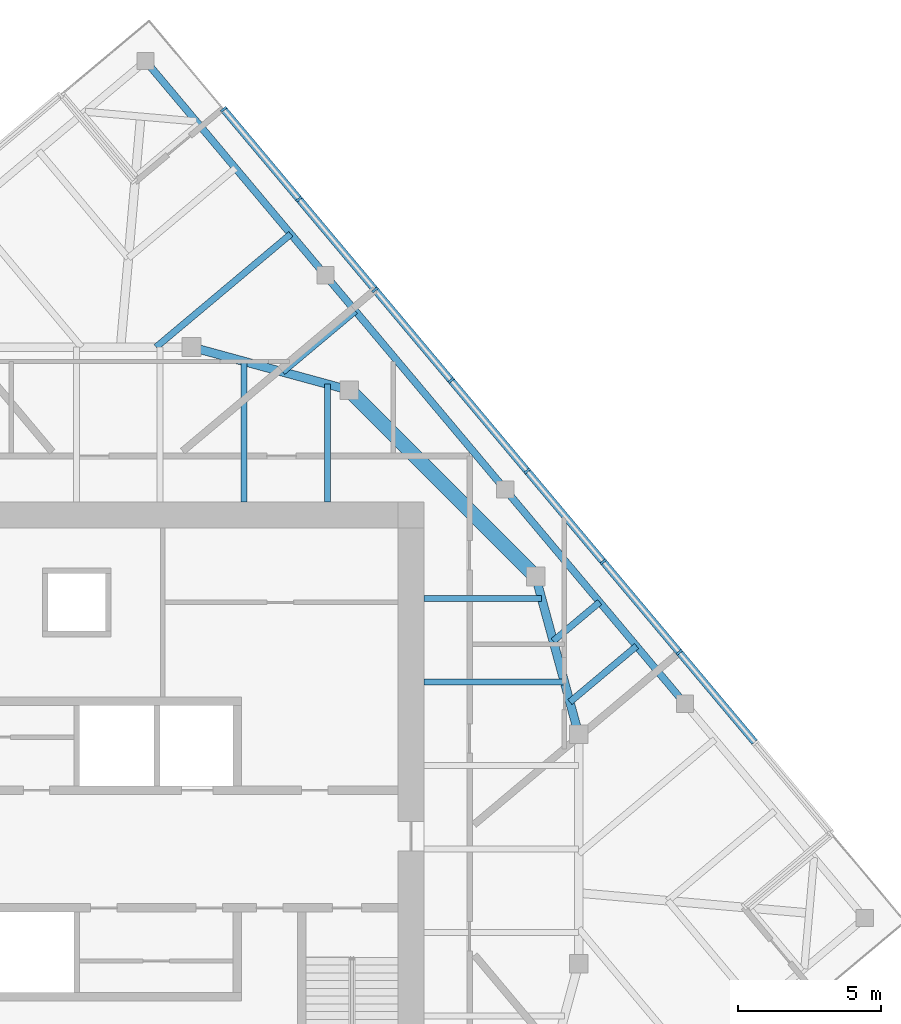
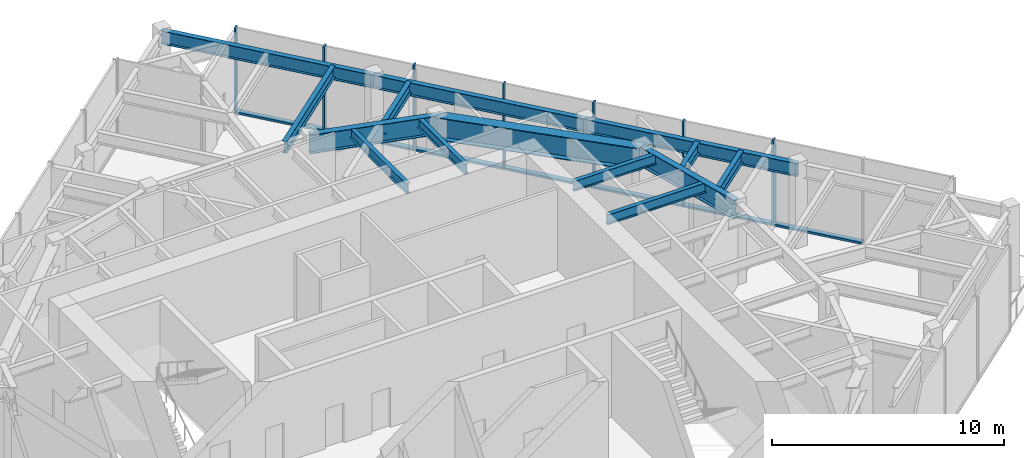
# One storey, part 6 of 11: 14 beams, 14 members, 1 element without a shape of its own.
"""IFC4 building model written with IfcOpenShell, lengths in metres."""

import ifcopenshell
import ifcopenshell.guid

model = None  # the IFC model being written
_history = None  # IfcOwnerHistory: only IFC2X3 demands one
_inside = {}  # id of a spatial element -> (the spatial element, [elements in it])
_under = {}  # id of a project, library or spatial element -> (it, [spatial elements below it])
_declared = {}  # id of a project -> (the project, [libraries it declares])
_typed = {}  # id of a type object -> (the type object, [elements of that type])
_made_of = {}  # id of a material, layer set ... -> (it, [elements and type objects made of it])


def new_model(schema):
    """Start an empty IFC model of exactly this schema.

    Asked for "IFC4X3", IfcOpenShell would pick the latest addendum, in which some entities
    have other attributes; the version numbers below select the first issue.
    IFC2X3 requires an IfcOwnerHistory on every rooted entity: one is made here for all.
    """
    global model, _history
    if schema == "IFC4X3":
        model = ifcopenshell.file(schema_version=(4, 3, 0, 0))
    else:
        model = ifcopenshell.file(schema=schema)
    _inside.clear()
    _under.clear()
    _declared.clear()
    _typed.clear()
    _made_of.clear()
    _history = None
    if model.schema == "IFC2X3":
        org = make("IfcOrganization", Name="unknown")
        user = make(
            "IfcPersonAndOrganization",
            ThePerson=make("IfcPerson", FamilyName="unknown"),
            TheOrganization=org,
        )
        app = make(
            "IfcApplication",
            ApplicationDeveloper=org,
            Version="unknown",
            ApplicationFullName="unknown",
            ApplicationIdentifier="unknown",
        )
        _history = make(
            "IfcOwnerHistory",
            OwningUser=user,
            OwningApplication=app,
            ChangeAction="ADDED",
            CreationDate=0,
        )
    return model


def make(cls, **values):
    """One entity of the class cls with the attributes given. An attribute that is None is left unset."""
    return model.create_entity(
        cls, **{name: value for name, value in values.items() if value is not None}
    )


def rooted(cls, **values):
    """An entity with a GlobalId (a new one), such as an element, a storey or a relation."""
    return make(cls, GlobalId=ifcopenshell.guid.new(), OwnerHistory=_history, **values)


def si_unit(unit_type, name, prefix=None):
    """IfcSIUnit, for example si_unit("LENGTHUNIT", "METRE", prefix="MILLI")."""
    return make("IfcSIUnit", UnitType=unit_type, Prefix=prefix, Name=name)


def assignment(units):
    """IfcUnitAssignment: the units of a project."""
    return None if units is None else make("IfcUnitAssignment", Units=units)


def point(xyz):
    """IfcCartesianPoint."""
    return None if xyz is None else make("IfcCartesianPoint", Coordinates=xyz)


def direction(xyz):
    """IfcDirection."""
    return None if xyz is None else make("IfcDirection", DirectionRatios=xyz)


def frame(location, z_axis=None, x_axis=None):
    """IfcAxis2Placement3D, a coordinate frame: its origin and axes. An axis left out is left unset."""
    return make(
        "IfcAxis2Placement3D",
        Location=point(location),
        Axis=direction(z_axis),
        RefDirection=direction(x_axis),
    )


def frame_2d(location, x_axis=None):
    """IfcAxis2Placement2D, a coordinate frame in the plane: its origin and x axis."""
    return make(
        "IfcAxis2Placement2D", Location=point(location), RefDirection=direction(x_axis)
    )


def origin():
    """The frame at (0, 0, 0) with its axes left unset."""
    return frame((0.0, 0.0, 0.0))


def origin_2d():
    """The frame at (0, 0) in the plane with its x axis left unset."""
    return frame_2d((0.0, 0.0))


def place(relative_to, where):
    """IfcLocalPlacement: puts the frame where relative to a parent placement (None: the world)."""
    return make(
        "IfcLocalPlacement", PlacementRelTo=relative_to, RelativePlacement=where
    )


def context(
    kind, dimensions, precision=None, world=None, true_north=None, identifier=None
):
    """IfcGeometricRepresentationContext, for example the 3D "Model" context."""
    return make(
        "IfcGeometricRepresentationContext",
        ContextIdentifier=identifier,
        ContextType=kind,
        CoordinateSpaceDimension=dimensions,
        Precision=precision,
        WorldCoordinateSystem=world,
        TrueNorth=true_north,
    )


def subcontext(parent, identifier, kind, view, scale=None):
    """IfcGeometricRepresentationSubContext, for example "Body" below "Model"."""
    return make(
        "IfcGeometricRepresentationSubContext",
        ContextIdentifier=identifier,
        ContextType=kind,
        ParentContext=parent,
        TargetScale=scale,
        TargetView=view,
    )


def project(units=None, contexts=None):
    """IfcProject with its units and contexts."""
    return rooted(
        "IfcProject",
        Name="project",
        RepresentationContexts=contexts,
        UnitsInContext=assignment(units),
    )


def spatial(cls, under=None, at=None, **own):
    """A site, building, storey or space (cls), placed at a placement, below another one or the project."""
    s = rooted(cls, ObjectPlacement=at, **own)
    if under is not None:
        _under.setdefault(under.id(), (under, []))[1].append(s)
    return s


def profile(cls, at=None, kind="AREA", **sizes):
    """A parametric profile (cls). Its sizes go by their IFC names, for example OverallWidth=200.0."""
    return make(cls, ProfileType=kind, Position=at, **sizes)


def rectangle(**sizes):
    """IfcRectangleProfileDef."""
    return profile("IfcRectangleProfileDef", **sizes)


def i_section(**sizes):
    """IfcIShapeProfileDef."""
    return profile("IfcIShapeProfileDef", **sizes)


def extrude(swept, where, along, depth):
    """IfcExtrudedAreaSolid: the profile swept, set in the frame where, extruded along a direction by depth."""
    return make(
        "IfcExtrudedAreaSolid",
        SweptArea=swept,
        Position=where,
        ExtrudedDirection=direction(along),
        Depth=depth,
    )


def shape(context_of_items, identifier, shape_type, items):
    """IfcShapeRepresentation: the items that make up one representation, for example the "Body"."""
    return make(
        "IfcShapeRepresentation",
        ContextOfItems=context_of_items,
        RepresentationIdentifier=identifier,
        RepresentationType=shape_type,
        Items=items,
    )


def material(Name=None, Category=None):
    """IfcMaterial."""
    return make("IfcMaterial", Name=Name, Category=Category)


def material_profile(
    of_material, cross_section, Name=None, Category=None, Priority=None
):
    """IfcMaterialProfile: a cross section and its material."""
    return make(
        "IfcMaterialProfile",
        Name=Name,
        Material=of_material,
        Profile=cross_section,
        Priority=Priority,
        Category=Category,
    )


def profile_set(profiles, Name=None, composite=None):
    """IfcMaterialProfileSet."""
    return make(
        "IfcMaterialProfileSet",
        Name=Name,
        MaterialProfiles=profiles,
        CompositeProfile=composite,
    )


def made_of(thing, what):
    """Note that an element or type object is made of a material, layer set ...; save() writes the relation."""
    if what is not None:
        _made_of.setdefault(what.id(), (what, []))[1].append(thing)
    return thing


def type_object(cls, material=None, **own):
    """A type object (cls), such as IfcWallType, which elements share."""
    return made_of(rooted(cls, **own), material)


def element(
    cls,
    number,
    at=None,
    inside=None,
    cuts=None,
    type_object=None,
    material=None,
    context=None,
    identifier="Body",
    shape_type=None,
    held_by="IfcProductDefinitionShape",
    body=None,
    shapes=None,
    **own,
):
    """One element of the class cls, such as IfcWall. Its Tag is "e" and its number.

    at: its placement. inside: the storey or other place that contains it. cuts: it is an
    opening in that element (IfcRelVoidsElement). A single representation is given by context,
    identifier, shape_type and body (its items); several are given by shapes. held_by: the class
    of the entity that holds the representations. save() writes the other relations.
    """
    e = rooted(cls, Tag="e%d" % number, ObjectPlacement=at, **own)
    if body is not None:
        shapes = [shape(context, identifier, shape_type, body)]
    if shapes is not None:
        e.Representation = make(held_by, Representations=shapes)
    if inside is not None:
        _inside.setdefault(inside.id(), (inside, []))[1].append(e)
    if cuts is not None:
        rooted(
            "IfcRelVoidsElement", RelatingBuildingElement=cuts, RelatedOpeningElement=e
        )
    if type_object is not None:
        _typed.setdefault(type_object.id(), (type_object, []))[1].append(e)
    return made_of(e, material)


def aggregate(whole, parts):
    """IfcRelAggregates: a whole, such as a stair, and the parts it consists of."""
    return rooted("IfcRelAggregates", RelatingObject=whole, RelatedObjects=parts)


def save(model, path):
    """Write the relations noted so far, then the file.

    IfcRelAggregates (storeys below a building ...), IfcRelContainedInSpatialStructure (elements
    in a storey), IfcRelDefinesByType, IfcRelAssociatesMaterial and IfcRelDeclares: one each for
    every whole, place, type object, material and project.
    """
    for whole, parts in _under.values():
        aggregate(whole, parts)
    for where, things in _inside.values():
        rooted(
            "IfcRelContainedInSpatialStructure",
            RelatedElements=things,
            RelatingStructure=where,
        )
    for kind, things in _typed.values():
        rooted("IfcRelDefinesByType", RelatedObjects=things, RelatingType=kind)
    for what, things in _made_of.values():
        rooted("IfcRelAssociatesMaterial", RelatedObjects=things, RelatingMaterial=what)
    for by, libraries in _declared.values():
        rooted("IfcRelDeclares", RelatingContext=by, RelatedDefinitions=libraries)
    model.write(path)


model = new_model("IFC4")

# Units and contexts
model_context = context("Model", 3, precision=1e-05, world=origin(), true_north=direction((0.0, 1.0)))
body_context = subcontext(model_context, "Body", "Model", "MODEL_VIEW")
ifc_project = project(units=[si_unit("LENGTHUNIT", "METRE"), si_unit("AREAUNIT", "SQUARE_METRE"), si_unit("VOLUMEUNIT", "CUBIC_METRE"), si_unit("PLANEANGLEUNIT", "RADIAN"), si_unit("MASSUNIT", "GRAM", prefix="KILO")], contexts=[model_context])

# Site, building, storey
site_placement = place(None, origin())
site = spatial("IfcSite", under=ifc_project, at=site_placement, CompositionType="ELEMENT")
building_placement = place(site_placement, origin())
building = spatial("IfcBuilding", under=site, at=building_placement, Name="Torsade Residences", CompositionType="ELEMENT")
storey_placement = place(building_placement, frame((0.0, 0.0, 299.800048828125)))
storey = spatial("IfcBuildingStorey", under=building, at=storey_placement, Name="L83", CompositionType="ELEMENT", Elevation=299.800048828125)

# Beams
ifc_material_1 = material(Name="Steel grade 300", Category="steel")
ifc_material_profile_1 = material_profile(ifc_material_1, i_section(OverallWidth=0.25, OverallDepth=0.699951171875, WebThickness=0.010009765625, FlangeThickness=0.02001953125, at=origin_2d()), Name="700WB130")
ifc_profile_set_1 = profile_set([ifc_material_profile_1], Name="Steel grade 300")
beam_type_1 = type_object("IfcBeamType", Name="EDGE BEAM 700WB130", PredefinedType="SPANDREL", material=ifc_profile_set_1)
for number, where, z_axis, x_axis, name in (
    (1, (61.205078125, 35.0654296875, 3.949951171875), (-0.642779160279, 0.766051532934, 0.0), (-0.766051532934, -0.642779160279, 0.0), "Edge beam 06 L84"),
    (2, (54.93798828125, 42.534423828125, 3.949951171875), (-0.642806184154, 0.766028856906, 0.0), (-0.766028856906, -0.642806184154, 0.0), "Edge beam 07 L84"),
    (3, (48.670654296875, 50.003173828125, 3.949951171875), (-0.642779160279, 0.766051532934, 0.0), (-0.766051532934, -0.642779160279, 0.0), "Edge beam 08 L84"),
):
    element("IfcBeam", number, at=place(storey_placement, frame(where, z_axis=z_axis, x_axis=x_axis)), inside=storey, type_object=beam_type_1, Name=name, PredefinedType="SPANDREL", context=body_context, shape_type="SweptSolid", body=[
        extrude(i_section(OverallWidth=0.25, OverallDepth=0.699951171875, WebThickness=0.010009765625, FlangeThickness=0.02001953125, at=origin_2d()), origin(), (0.0, 0.0, 1.0), 9.75),
    ])
ifc_material_2 = material(Name="Steel grade 300", Category="steel")
ifc_material_profile_2 = material_profile(ifc_material_2, i_section(OverallWidth=0.208984375, OverallDepth=0.528076171875, WebThickness=0.009521484375, FlangeThickness=0.01318359375, FilletRadius=0.013916015625, at=origin_2d()), Name="530UB82.0")
ifc_profile_set_2 = profile_set([ifc_material_profile_2], Name="Steel grade 300")
beam_type_2 = type_object("IfcBeamType", Name="INNER FLOOR BEAM 530UB82.0", PredefinedType="JOIST", material=ifc_profile_set_2)
beam_1_placement = place(storey_placement, frame((45.824951171875, 42.10009765625, 4.035888671875), z_axis=(0.0, 1.0, 0.0), x_axis=(-1.0, 0.0, 0.0)))
element("IfcBeam", 4, at=beam_1_placement, inside=storey, type_object=beam_type_2, Name="Inner floor beam IN06 L84", PredefinedType="JOIST", context=body_context, shape_type="SweptSolid", body=[
    extrude(i_section(OverallWidth=0.208984375, OverallDepth=0.528076171875, WebThickness=0.009521484375, FlangeThickness=0.01318359375, FilletRadius=0.013916015625, at=origin_2d()), origin(), (0.0, 0.0, 1.0), 4.902099609375),
])
beam_2_placement = place(storey_placement, frame((48.737548828125, 42.10009765625, 4.035888671875), z_axis=(0.0, 1.0, 0.0), x_axis=(-1.0, 0.0, 0.0)))
element("IfcBeam", 5, at=beam_2_placement, inside=storey, type_object=beam_type_2, Name="Inner floor beam IN07 L84", PredefinedType="JOIST", context=body_context, shape_type="SweptSolid", body=[
    extrude(i_section(OverallWidth=0.208984375, OverallDepth=0.528076171875, WebThickness=0.009521484375, FlangeThickness=0.01318359375, FilletRadius=0.013916015625, at=origin_2d()), origin(), (0.0, 0.0, 1.0), 4.10791015625),
])
beam_3_placement = place(storey_placement, frame((52.10009765625, 35.824951171875, 4.035888671875), z_axis=(1.0, 0.0, 0.0), x_axis=(0.0, 1.0, 0.0)))
element("IfcBeam", 6, at=beam_3_placement, inside=storey, type_object=beam_type_2, Name="Inner floor beam IE06 L84", PredefinedType="JOIST", context=body_context, shape_type="SweptSolid", body=[
    extrude(i_section(OverallWidth=0.208984375, OverallDepth=0.528076171875, WebThickness=0.009521484375, FlangeThickness=0.01318359375, FilletRadius=0.013916015625, at=origin_2d()), origin(), (0.0, 0.0, 1.0), 4.902099609375),
])
beam_4_placement = place(storey_placement, frame((52.10009765625, 38.737548828125, 4.035888671875), z_axis=(1.0, 0.0, 0.0), x_axis=(0.0, 1.0, 0.0)))
element("IfcBeam", 7, at=beam_4_placement, inside=storey, type_object=beam_type_2, Name="Inner floor beam IE07 L84", PredefinedType="JOIST", context=body_context, shape_type="SweptSolid", body=[
    extrude(i_section(OverallWidth=0.208984375, OverallDepth=0.528076171875, WebThickness=0.009521484375, FlangeThickness=0.01318359375, FilletRadius=0.013916015625, at=origin_2d()), origin(), (0.0, 0.0, 1.0), 4.10791015625),
])

# Curtain wall, members
ifc_material_3 = material(Name="Aluminium and glass", Category="aluminium")
curtain_wall_type = type_object("IfcCurtainWallType", Name="PLANT LEVEL LOUVRED CURTAIN WALL", PredefinedType="NOTDEFINED", material=ifc_material_3)
curtain_wall_placement = place(storey_placement, origin())
curtain_wall = element("IfcCurtainWall", 8, at=curtain_wall_placement, inside=storey, type_object=curtain_wall_type, Name="Curtain wall L83 face 4", PredefinedType="NOTDEFINED")
ifc_material_4 = material(Name="Aluminium mullion", Category="aluminium")
ifc_material_profile_3 = material_profile(ifc_material_4, rectangle(XDim=0.25, YDim=0.080078125, at=origin_2d()), Name="LOUVRE WALL MULLION 250x80")
ifc_profile_set_3 = profile_set([ifc_material_profile_3], Name="Aluminium mullion")
member_type_1 = type_object("IfcMemberType", Name="LOUVRE WALL MULLION 250x80", PredefinedType="MULLION", material=ifc_profile_set_3)
member_1_placement = place(storey_placement, frame((61.0068359375, 36.857177734375, 0.0), z_axis=(0.0, 0.0, 1.0), x_axis=(-0.766044437106, -0.642787616853, 0.0)))
member_1 = element("IfcMember", 9, at=member_1_placement, type_object=member_type_1, Name="Mullion 3", PredefinedType="MULLION", context=body_context, shape_type="SweptSolid", body=[
    extrude(rectangle(XDim=0.25, YDim=0.080078125, at=origin_2d()), origin(), (0.0, 0.0, 1.0), 4.5),
])
member_2_placement = place(storey_placement, frame((58.35546875, 40.017333984375, 0.0), z_axis=(0.0, 0.0, 1.0), x_axis=(-0.766044437106, -0.642787616853, 0.0)))
member_2 = element("IfcMember", 10, at=member_2_placement, type_object=member_type_1, Name="Mullion 4", PredefinedType="MULLION", context=body_context, shape_type="SweptSolid", body=[
    extrude(rectangle(XDim=0.25, YDim=0.080078125, at=origin_2d()), origin(), (0.0, 0.0, 1.0), 4.5),
])
member_3_placement = place(storey_placement, frame((55.703857421875, 43.17724609375, 0.0), z_axis=(0.0, 0.0, 1.0), x_axis=(-0.766044437106, -0.642787616853, 0.0)))
member_3 = element("IfcMember", 11, at=member_3_placement, type_object=member_type_1, Name="Mullion 5", PredefinedType="MULLION", context=body_context, shape_type="SweptSolid", body=[
    extrude(rectangle(XDim=0.25, YDim=0.080078125, at=origin_2d()), origin(), (0.0, 0.0, 1.0), 4.5),
])
member_4_placement = place(storey_placement, frame((53.052490234375, 46.337158203125, 0.0), z_axis=(0.0, 0.0, 1.0), x_axis=(-0.766044437106, -0.642787616853, 0.0)))
member_4 = element("IfcMember", 12, at=member_4_placement, type_object=member_type_1, Name="Mullion 6", PredefinedType="MULLION", context=body_context, shape_type="SweptSolid", body=[
    extrude(rectangle(XDim=0.25, YDim=0.080078125, at=origin_2d()), origin(), (0.0, 0.0, 1.0), 4.5),
])
member_5_placement = place(storey_placement, frame((50.40087890625, 49.4970703125, 0.0), z_axis=(0.0, 0.0, 1.0), x_axis=(-0.766044437106, -0.642787616853, 0.0)))
member_5 = element("IfcMember", 13, at=member_5_placement, type_object=member_type_1, Name="Mullion 7", PredefinedType="MULLION", context=body_context, shape_type="SweptSolid", body=[
    extrude(rectangle(XDim=0.25, YDim=0.080078125, at=origin_2d()), origin(), (0.0, 0.0, 1.0), 4.5),
])
member_6_placement = place(storey_placement, frame((47.74951171875, 52.656982421875, 0.0), z_axis=(0.0, 0.0, 1.0), x_axis=(-0.766044437106, -0.642787616853, 0.0)))
member_6 = element("IfcMember", 14, at=member_6_placement, type_object=member_type_1, Name="Mullion 8", PredefinedType="MULLION", context=body_context, shape_type="SweptSolid", body=[
    extrude(rectangle(XDim=0.25, YDim=0.080078125, at=origin_2d()), origin(), (0.0, 0.0, 1.0), 4.5),
])
member_7_placement = place(storey_placement, frame((45.12353515625, 55.7861328125, 0.0), z_axis=(0.0, 0.0, 1.0), x_axis=(-0.766044437106, -0.642787616853, 0.0)))
member_7 = element("IfcMember", 15, at=member_7_placement, type_object=member_type_1, Name="Mullion 9", PredefinedType="MULLION", context=body_context, shape_type="SweptSolid", body=[
    extrude(rectangle(XDim=0.25, YDim=0.080078125, at=origin_2d()), origin(), (0.0, 0.0, 1.0), 4.5),
])
ifc_material_5 = material(Name="Aluminium transom", Category="aluminium")
ifc_material_profile_4 = material_profile(ifc_material_5, rectangle(XDim=0.25, YDim=0.110107421875, at=origin_2d()), Name="LOUVRE WALL TRANSOM 250x110")
ifc_profile_set_4 = profile_set([ifc_material_profile_4], Name="Aluminium transom")
member_type_2 = type_object("IfcMemberType", Name="LOUVRE WALL TRANSOM 250x110", PredefinedType="USERDEFINED", material=ifc_profile_set_4)
member_8_placement = place(storey_placement, frame((63.6328125, 33.72802734375, 0.054931640625), z_axis=(-0.642792833221, 0.766040060023, 0.0), x_axis=(-0.766040060023, -0.642792833221, 0.0)))
member_8 = element("IfcMember", 16, at=member_8_placement, type_object=member_type_2, Name="Transom 2.1", ObjectType="TRANSOM", PredefinedType="USERDEFINED", context=body_context, shape_type="SweptSolid", body=[
    extrude(rectangle(XDim=0.25, YDim=0.110107421875, at=origin_2d()), origin(), (0.0, 0.0, 1.0), 4.044921875),
])
member_9_placement = place(storey_placement, frame((60.981201171875, 36.887939453125, 0.054931640625), z_axis=(-0.642792833221, 0.766040060023, 0.0), x_axis=(-0.766040060023, -0.642792833221, 0.0)))
member_9 = element("IfcMember", 17, at=member_9_placement, type_object=member_type_2, Name="Transom 3.1", ObjectType="TRANSOM", PredefinedType="USERDEFINED", context=body_context, shape_type="SweptSolid", body=[
    extrude(rectangle(XDim=0.25, YDim=0.110107421875, at=origin_2d()), origin(), (0.0, 0.0, 1.0), 4.044921875),
])
member_10_placement = place(storey_placement, frame((58.32958984375, 40.0478515625, 0.054931640625), z_axis=(-0.642757413132, 0.766069780023, 0.0), x_axis=(-0.766069780023, -0.642757413132, 0.0)))
member_10 = element("IfcMember", 18, at=member_10_placement, type_object=member_type_2, Name="Transom 4.1", ObjectType="TRANSOM", PredefinedType="USERDEFINED", context=body_context, shape_type="SweptSolid", body=[
    extrude(rectangle(XDim=0.25, YDim=0.110107421875, at=origin_2d()), origin(), (0.0, 0.0, 1.0), 4.044921875),
])
member_11_placement = place(storey_placement, frame((55.67822265625, 43.207763671875, 0.054931640625), z_axis=(-0.642792833221, 0.766040060023, 0.0), x_axis=(-0.766040060023, -0.642792833221, 0.0)))
member_11 = element("IfcMember", 19, at=member_11_placement, type_object=member_type_2, Name="Transom 5.1", ObjectType="TRANSOM", PredefinedType="USERDEFINED", context=body_context, shape_type="SweptSolid", body=[
    extrude(rectangle(XDim=0.25, YDim=0.110107421875, at=origin_2d()), origin(), (0.0, 0.0, 1.0), 4.044921875),
])
member_12_placement = place(storey_placement, frame((53.026611328125, 46.36767578125, 0.054931640625), z_axis=(-0.642792833221, 0.766040060023, 0.0), x_axis=(-0.766040060023, -0.642792833221, 0.0)))
member_12 = element("IfcMember", 20, at=member_12_placement, type_object=member_type_2, Name="Transom 6.1", ObjectType="TRANSOM", PredefinedType="USERDEFINED", context=body_context, shape_type="SweptSolid", body=[
    extrude(rectangle(XDim=0.25, YDim=0.110107421875, at=origin_2d()), origin(), (0.0, 0.0, 1.0), 4.044921875),
])
member_13_placement = place(storey_placement, frame((50.375244140625, 49.527587890625, 0.054931640625), z_axis=(-0.642792833221, 0.766040060023, 0.0), x_axis=(-0.766040060023, -0.642792833221, 0.0)))
member_13 = element("IfcMember", 21, at=member_13_placement, type_object=member_type_2, Name="Transom 7.1", ObjectType="TRANSOM", PredefinedType="USERDEFINED", context=body_context, shape_type="SweptSolid", body=[
    extrude(rectangle(XDim=0.25, YDim=0.110107421875, at=origin_2d()), origin(), (0.0, 0.0, 1.0), 4.044921875),
])
member_14_placement = place(storey_placement, frame((47.7236328125, 52.6875, 0.054931640625), z_axis=(-0.642753086451, 0.766073410227, 0.0), x_axis=(-0.766073410227, -0.642753086451, 0.0)))
member_14 = element("IfcMember", 22, at=member_14_placement, type_object=member_type_2, Name="Transom 8.1", ObjectType="TRANSOM", PredefinedType="USERDEFINED", context=body_context, shape_type="SweptSolid", body=[
    extrude(rectangle(XDim=0.25, YDim=0.110107421875, at=origin_2d()), origin(), (0.0, 0.0, 1.0), 4.0048828125),
])
aggregate(curtain_wall, [member_1, member_2, member_3, member_4, member_5, member_6, member_7, member_8, member_9, member_10, member_11, member_12, member_13, member_14])

# Beams
ifc_material_6 = material(Name="Steel grade 300", Category="steel")
ifc_material_profile_5 = material_profile(ifc_material_6, i_section(OverallWidth=0.5, OverallDepth=1.199951171875, WebThickness=0.01611328125, FlangeThickness=0.0400390625, at=origin_2d()), Name="1200WB455")
ifc_profile_set_5 = profile_set([ifc_material_profile_5], Name="Steel grade 300")
beam_type_3 = type_object("IfcBeamType", Name="RING CORNER GIRDER 1200WB455", PredefinedType="BEAM", material=ifc_profile_set_5)
beam_5_placement = place(storey_placement, frame((56.0, 39.5, 3.699951171875), z_axis=(-0.707106781187, 0.707106781187, 0.0), x_axis=(-0.707106781187, -0.707106781187, 0.0)))
element("IfcBeam", 23, at=beam_5_placement, inside=storey, type_object=beam_type_3, Name="Ring girder IR03 L84", PredefinedType="BEAM", context=body_context, shape_type="SweptSolid", body=[
    extrude(i_section(OverallWidth=0.5, OverallDepth=1.199951171875, WebThickness=0.01611328125, FlangeThickness=0.0400390625, at=origin_2d()), origin(), (0.0, 0.0, 1.0), 9.1923828125),
])
ifc_material_7 = material(Name="Steel grade 300", Category="steel")
ifc_material_profile_6 = material_profile(ifc_material_7, i_section(OverallWidth=0.300048828125, OverallDepth=1.0, WebThickness=0.01611328125, FlangeThickness=0.028076171875, at=origin_2d()), Name="1000WB215")
ifc_profile_set_6 = profile_set([ifc_material_profile_6], Name="Steel grade 300")
beam_type_4 = type_object("IfcBeamType", Name="RING GIRDER 1000WB215", PredefinedType="BEAM", material=ifc_profile_set_6)
for number, where, z_axis, x_axis, name in (
    (24, (57.5, 34.0, 3.800048828125), (-0.263117405792, 0.964763821238, 0.0), (-0.964763821238, -0.263117405792, 0.0), "Ring girder IR02 L84"),
    (25, (49.5, 46.0, 3.800048828125), (-0.964763821238, 0.263117405792, 0.0), (-0.263117405792, -0.964763821238, 0.0), "Ring girder IR04 L84"),
):
    element("IfcBeam", number, at=place(storey_placement, frame(where, z_axis=z_axis, x_axis=x_axis)), inside=storey, type_object=beam_type_4, Name=name, PredefinedType="BEAM", context=body_context, shape_type="SweptSolid", body=[
        extrude(i_section(OverallWidth=0.300048828125, OverallDepth=1.0, WebThickness=0.01611328125, FlangeThickness=0.028076171875, at=origin_2d()), origin(), (0.0, 0.0, 1.0), 5.700927734375),
    ])
ifc_material_8 = material(Name="Steel grade 300", Category="steel")
ifc_material_profile_7 = material_profile(ifc_material_8, i_section(OverallWidth=0.22900390625, OverallDepth=0.612060546875, WebThickness=0.011962890625, FlangeThickness=0.01953125, FilletRadius=0.013916015625, at=origin_2d()), Name="610UB125")
ifc_profile_set_7 = profile_set([ifc_material_profile_7], Name="Steel grade 300")
beam_type_5 = type_object("IfcBeamType", Name="SECONDARY BEAM 610UB125", PredefinedType="JOIST", material=ifc_profile_set_7)
beam_6_placement = place(storey_placement, frame((59.517822265625, 37.076171875, 3.993896484375), z_axis=(-0.766080361029, -0.64274480196, 0.0), x_axis=(0.64274480196, -0.766080361029, 0.0)))
element("IfcBeam", 26, at=beam_6_placement, inside=storey, type_object=beam_type_5, Name="Floor beam FE04 L84", PredefinedType="JOIST", context=body_context, shape_type="SweptSolid", body=[
    extrude(i_section(OverallWidth=0.22900390625, OverallDepth=0.612060546875, WebThickness=0.011962890625, FlangeThickness=0.01953125, FilletRadius=0.013916015625, at=origin_2d()), origin(), (0.0, 0.0, 1.0), 3.03466796875),
])
beam_7_placement = place(storey_placement, frame((58.232177734375, 38.6083984375, 3.993896484375), z_axis=(-0.766057560226, -0.642771977004, 0.0), x_axis=(0.642771977004, -0.766057560226, 0.0)))
element("IfcBeam", 27, at=beam_7_placement, inside=storey, type_object=beam_type_5, Name="Floor beam FE05 L84", PredefinedType="JOIST", context=body_context, shape_type="SweptSolid", body=[
    extrude(i_section(OverallWidth=0.22900390625, OverallDepth=0.612060546875, WebThickness=0.011962890625, FlangeThickness=0.01953125, FilletRadius=0.013916015625, at=origin_2d()), origin(), (0.0, 0.0, 1.0), 2.113037109375),
])
beam_8_placement = place(storey_placement, frame((49.71533203125, 48.758544921875, 3.993896484375), z_axis=(-0.766044990879, -0.642786956891, 0.0), x_axis=(0.642786956891, -0.766044990879, 0.0)))
element("IfcBeam", 28, at=beam_8_placement, inside=storey, type_object=beam_type_5, Name="Floor beam FE09 L84", PredefinedType="JOIST", context=body_context, shape_type="SweptSolid", body=[
    extrude(i_section(OverallWidth=0.22900390625, OverallDepth=0.612060546875, WebThickness=0.011962890625, FlangeThickness=0.01953125, FilletRadius=0.013916015625, at=origin_2d()), origin(), (0.0, 0.0, 1.0), 3.307861328125),
])
beam_9_placement = place(storey_placement, frame((47.465576171875, 51.439697265625, 3.993896484375), z_axis=(-0.766039049329, -0.642794037701, 0.0), x_axis=(0.642794037701, -0.766039049329, 0.0)))
element("IfcBeam", 29, at=beam_9_placement, inside=storey, type_object=beam_type_5, Name="Floor beam FE10 L84", PredefinedType="JOIST", context=body_context, shape_type="SweptSolid", body=[
    extrude(i_section(OverallWidth=0.22900390625, OverallDepth=0.612060546875, WebThickness=0.011962890625, FlangeThickness=0.01953125, FilletRadius=0.013916015625, at=origin_2d()), origin(), (0.0, 0.0, 1.0), 6.12890625),
])

save(model, "model.ifc")
